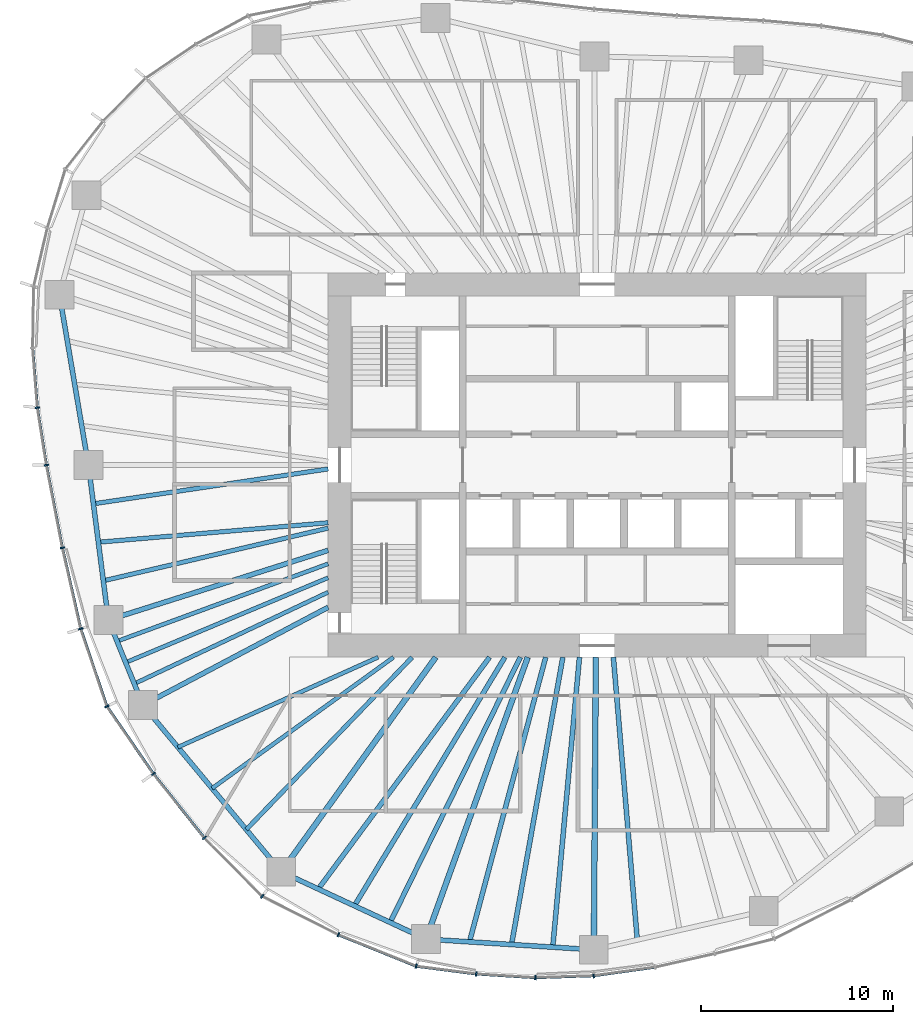
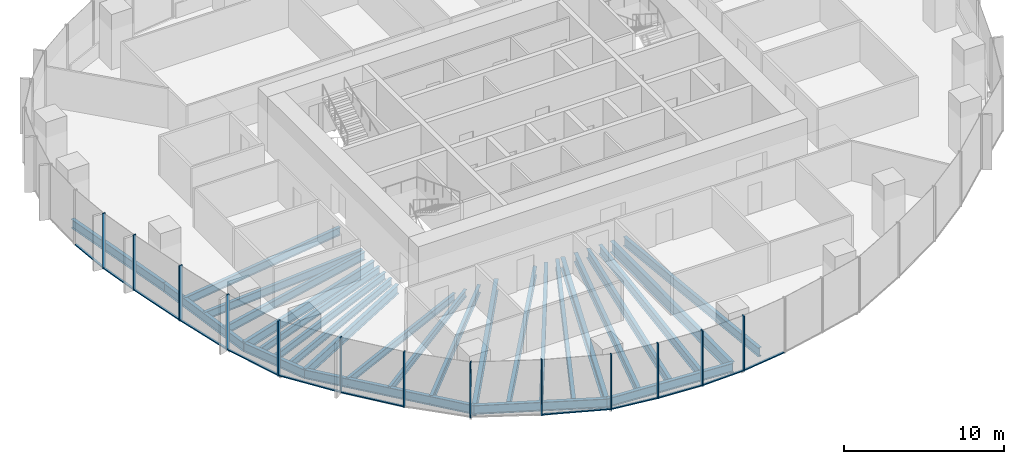
# One storey, part 2 of 18: 27 beams, 25 members, 7 elements without a shape of their own.
"""IFC4 building model written with IfcOpenShell, lengths in metres."""

from ifc_helpers import new_model, si_unit, direction, frame, origin, origin_2d, place, context, subcontext, project, spatial, rectangle, i_section, extrude, material, material_profile, profile_set, type_object, element, aggregate, save


model = new_model("IFC4")

# Units and contexts
model_context = context("Model", 3, precision=1e-05, world=origin(), true_north=direction((0.0, 1.0)))
body_context = subcontext(model_context, "Body", "Model", "MODEL_VIEW")
ifc_project = project(units=[si_unit("LENGTHUNIT", "METRE"), si_unit("AREAUNIT", "SQUARE_METRE"), si_unit("VOLUMEUNIT", "CUBIC_METRE"), si_unit("PLANEANGLEUNIT", "RADIAN"), si_unit("MASSUNIT", "GRAM", prefix="KILO")], contexts=[model_context])

# Site, building, storey
site_placement = place(None, origin())
site = spatial("IfcSite", under=ifc_project, at=site_placement, CompositionType="ELEMENT")
building_placement = place(site_placement, origin())
building = spatial("IfcBuilding", under=site, at=building_placement, Name="Ghaith Harvest Tower", CompositionType="ELEMENT")
storey_placement = place(building_placement, frame((0.0, 0.0, 117.60009765625)))
storey = spatial("IfcBuildingStorey", under=building, at=storey_placement, Name="L24", CompositionType="ELEMENT", Elevation=117.60009765625)

# Curtain wall, member
ifc_material_1 = material(Name="Black anodised aluminium and fritted glass", Category="aluminium")
curtain_wall_type = type_object("IfcCurtainWallType", Name="CW-L CURTAIN WALL", PredefinedType="NOTDEFINED", material=ifc_material_1)
curtain_wall_1_placement = place(storey_placement, origin())
curtain_wall_1 = element("IfcCurtainWall", 1, at=curtain_wall_1_placement, inside=storey, type_object=curtain_wall_type, Name="Curtain wall CW-L bay 10 L24", PredefinedType="NOTDEFINED")
ifc_material_2 = material(Name="Aluminium, black anodised", Category="aluminium")
ifc_material_profile_1 = material_profile(ifc_material_2, rectangle(XDim=0.080078125, YDim=0.239990234375, at=origin_2d()), Name="CW-L MULLION 80x240")
ifc_profile_set_1 = profile_set([ifc_material_profile_1], Name="Aluminium, black anodised")
member_type_1 = type_object("IfcMemberType", Name="CW-L MULLION 80x240", PredefinedType="MULLION", material=ifc_profile_set_1)
member_1_placement = place(storey_placement, frame((-29.131103515625, 2.990478515625, 0.0), z_axis=(0.0, 0.0, 1.0), x_axis=(0.116763791346, -0.993159713757, 0.0)))
member_1 = element("IfcMember", 2, at=member_1_placement, type_object=member_type_1, Name="CW-L mullion 3 bay 10 L24", PredefinedType="MULLION", context=body_context, shape_type="SweptSolid", body=[
    extrude(rectangle(XDim=0.080078125, YDim=0.239990234375, at=origin_2d()), origin(), (0.0, 0.0, 1.0), 4.199951171875),
])

# Curtain wall, members
curtain_wall_2_placement = place(storey_placement, origin())
curtain_wall_2 = element("IfcCurtainWall", 3, at=curtain_wall_2_placement, inside=storey, type_object=curtain_wall_type, Name="Curtain wall CW-L bay 11 L24", PredefinedType="NOTDEFINED")
member_2_placement = place(storey_placement, frame((-28.6611328125, 0.0, 0.0), z_axis=(0.0, 0.0, 1.0), x_axis=(0.175827209372, -0.984421044292, 0.0)))
member_2 = element("IfcMember", 4, at=member_2_placement, type_object=member_type_1, Name="CW-L mullion 1 bay 11 L24", PredefinedType="MULLION", context=body_context, shape_type="SweptSolid", body=[
    extrude(rectangle(XDim=0.080078125, YDim=0.239990234375, at=origin_2d()), origin(), (0.0, 0.0, 1.0), 4.199951171875),
])
member_3_placement = place(storey_placement, frame((-27.828125, -4.30419921875, 0.0), z_axis=(0.0, 0.0, 1.0), x_axis=(0.205176300018, -0.978725030798, 0.0)))
member_3 = element("IfcMember", 5, at=member_3_placement, type_object=member_type_1, Name="CW-L mullion 2 bay 11 L24", PredefinedType="MULLION", context=body_context, shape_type="SweptSolid", body=[
    extrude(rectangle(XDim=0.080078125, YDim=0.239990234375, at=origin_2d()), origin(), (0.0, 0.0, 1.0), 4.199951171875),
])

curtain_wall_3_placement = place(storey_placement, origin())
curtain_wall_3 = element("IfcCurtainWall", 6, at=curtain_wall_3_placement, inside=storey, type_object=curtain_wall_type, Name="Curtain wall CW-L bay 12 L24", PredefinedType="NOTDEFINED")
member_4_placement = place(storey_placement, frame((-26.875732421875, -8.517333984375, 0.0), z_axis=(0.0, 0.0, 1.0), x_axis=(0.270018818005, -0.962855045125, 0.0)))
member_4 = element("IfcMember", 7, at=member_4_placement, type_object=member_type_1, Name="CW-L mullion 1 bay 12 L24", PredefinedType="MULLION", context=body_context, shape_type="SweptSolid", body=[
    extrude(rectangle(XDim=0.080078125, YDim=0.239990234375, at=origin_2d()), origin(), (0.0, 0.0, 1.0), 4.199951171875),
])
member_5_placement = place(storey_placement, frame((-25.513427734375, -12.55810546875, 0.0), z_axis=(0.0, 0.0, 1.0), x_axis=(0.448267068681, -0.893899678452, 0.0)))
member_5 = element("IfcMember", 8, at=member_5_placement, type_object=member_type_1, Name="CW-L mullion 2 bay 12 L24", PredefinedType="MULLION", context=body_context, shape_type="SweptSolid", body=[
    extrude(rectangle(XDim=0.080078125, YDim=0.239990234375, at=origin_2d()), origin(), (0.0, 0.0, 1.0), 4.199951171875),
])

curtain_wall_4_placement = place(storey_placement, origin())
curtain_wall_4 = element("IfcCurtainWall", 9, at=curtain_wall_4_placement, inside=storey, type_object=curtain_wall_type, Name="Curtain wall CW-L bay 13 L24", PredefinedType="NOTDEFINED")
member_6_placement = place(storey_placement, frame((-23.090087890625, -16.066162109375, 0.0), z_axis=(0.0, 0.0, 1.0), x_axis=(0.595740202191, -0.803177198066, 0.0)))
member_6 = element("IfcMember", 10, at=member_6_placement, type_object=member_type_1, Name="CW-L mullion 1 bay 13 L24", PredefinedType="MULLION", context=body_context, shape_type="SweptSolid", body=[
    extrude(rectangle(XDim=0.080078125, YDim=0.239990234375, at=origin_2d()), origin(), (0.0, 0.0, 1.0), 4.199951171875),
])
member_7_placement = place(storey_placement, frame((-20.441162109375, -19.396728515625, 0.0), z_axis=(0.0, 0.0, 1.0), x_axis=(0.663764675537, -0.747941478666, 0.0)))
member_7 = element("IfcMember", 11, at=member_7_placement, type_object=member_type_1, Name="CW-L mullion 2 bay 13 L24", PredefinedType="MULLION", context=body_context, shape_type="SweptSolid", body=[
    extrude(rectangle(XDim=0.080078125, YDim=0.239990234375, at=origin_2d()), origin(), (0.0, 0.0, 1.0), 4.199951171875),
])

curtain_wall_5_placement = place(storey_placement, origin())
curtain_wall_5 = element("IfcCurtainWall", 12, at=curtain_wall_5_placement, inside=storey, type_object=curtain_wall_type, Name="Curtain wall CW-L bay 14 L24", PredefinedType="NOTDEFINED")
member_8_placement = place(storey_placement, frame((-17.430419921875, -22.443603515625, 0.0), z_axis=(0.0, 0.0, 1.0), x_axis=(0.810339399222, -0.585960799089, 0.0)))
member_8 = element("IfcMember", 13, at=member_8_placement, type_object=member_type_1, Name="CW-L mullion 1 bay 14 L24", PredefinedType="MULLION", context=body_context, shape_type="SweptSolid", body=[
    extrude(rectangle(XDim=0.080078125, YDim=0.239990234375, at=origin_2d()), origin(), (0.0, 0.0, 1.0), 4.199951171875),
])
member_9_placement = place(storey_placement, frame((-13.463134765625, -24.4423828125, 0.0), z_axis=(0.0, 0.0, 1.0), x_axis=(0.910648017946, -0.413182995066, 0.0)))
member_9 = element("IfcMember", 14, at=member_9_placement, type_object=member_type_1, Name="CW-L mullion 2 bay 14 L24", PredefinedType="MULLION", context=body_context, shape_type="SweptSolid", body=[
    extrude(rectangle(XDim=0.080078125, YDim=0.239990234375, at=origin_2d()), origin(), (0.0, 0.0, 1.0), 4.199951171875),
])

curtain_wall_6_placement = place(storey_placement, origin())
curtain_wall_6 = element("IfcCurtainWall", 15, at=curtain_wall_6_placement, inside=storey, type_object=curtain_wall_type, Name="Curtain wall CW-L bay 15 L24", PredefinedType="NOTDEFINED")
member_10_placement = place(storey_placement, frame((-9.4189453125, -26.07861328125, 0.0), z_axis=(0.0, 0.0, 1.0), x_axis=(0.961788606004, -0.273793128768, 0.0)))
member_10 = element("IfcMember", 16, at=member_10_placement, type_object=member_type_1, Name="CW-L mullion 1 bay 15 L24", PredefinedType="MULLION", context=body_context, shape_type="SweptSolid", body=[
    extrude(rectangle(XDim=0.080078125, YDim=0.239990234375, at=origin_2d()), origin(), (0.0, 0.0, 1.0), 4.199951171875),
])
member_11_placement = place(storey_placement, frame((-6.29443359375, -26.483154296875, 0.0), z_axis=(0.0, 0.0, 1.0), x_axis=(0.995389243171, -0.095917957546, 0.0)))
member_11 = element("IfcMember", 17, at=member_11_placement, type_object=member_type_1, Name="CW-L mullion 2 bay 15 L24", PredefinedType="MULLION", context=body_context, shape_type="SweptSolid", body=[
    extrude(rectangle(XDim=0.080078125, YDim=0.239990234375, at=origin_2d()), origin(), (0.0, 0.0, 1.0), 4.199951171875),
])
member_12_placement = place(storey_placement, frame((-3.21923828125, -26.676025390625, 0.0), z_axis=(0.0, 0.0, 1.0), x_axis=(0.999890531495, -0.014796115241, 0.0)))
member_12 = element("IfcMember", 18, at=member_12_placement, type_object=member_type_1, Name="CW-L mullion 3 bay 15 L24", PredefinedType="MULLION", context=body_context, shape_type="SweptSolid", body=[
    extrude(rectangle(XDim=0.080078125, YDim=0.239990234375, at=origin_2d()), origin(), (0.0, 0.0, 1.0), 4.199951171875),
])

# Curtain wall, member
curtain_wall_7_placement = place(storey_placement, origin())
curtain_wall_7 = element("IfcCurtainWall", 19, at=curtain_wall_7_placement, inside=storey, type_object=curtain_wall_type, Name="Curtain wall CW-L bay 16 L24", PredefinedType="NOTDEFINED")
member_13_placement = place(storey_placement, frame((-0.181884765625, -26.57373046875, 0.0), z_axis=(0.0, 0.0, 1.0), x_axis=(0.996169227662, 0.087446382772, 0.0)))
member_13 = element("IfcMember", 20, at=member_13_placement, type_object=member_type_1, Name="CW-L mullion 1 bay 16 L24", PredefinedType="MULLION", context=body_context, shape_type="SweptSolid", body=[
    extrude(rectangle(XDim=0.080078125, YDim=0.239990234375, at=origin_2d()), origin(), (0.0, 0.0, 1.0), 4.199951171875),
])

# Member
ifc_material_3 = material(Name="Aluminium, black anodised", Category="aluminium")
ifc_material_profile_2 = material_profile(ifc_material_3, rectangle(XDim=0.14990234375, YDim=0.080078125, at=origin_2d()), Name="CW-L TRANSOM 150x80")
ifc_profile_set_2 = profile_set([ifc_material_profile_2], Name="Aluminium, black anodised")
member_type_2 = type_object("IfcMemberType", Name="CW-L TRANSOM 150x80", PredefinedType="USERDEFINED", material=ifc_profile_set_2)
member_14_placement = place(storey_placement, frame((-29.374755859375, 6.05615234375, 0.039794921875), z_axis=(0.079230491279, -0.996856323274, 0.0), x_axis=(0.996856323274, 0.079230491279, 0.0)))
member_14 = element("IfcMember", 21, at=member_14_placement, type_object=member_type_2, Name="CW-L transom 2 bay 10 L24", ObjectType="TRANSOM", PredefinedType="USERDEFINED", context=body_context, shape_type="SweptSolid", body=[
    extrude(rectangle(XDim=0.14990234375, YDim=0.080078125, at=origin_2d()), origin(), (0.0, 0.0, 1.0), 3.03515625),
])

member_15_placement = place(storey_placement, frame((-29.124755859375, 2.951171875, 0.039794921875), z_axis=(0.155150065502, -0.987890913601, 0.0), x_axis=(0.987890913601, 0.155150065502, 0.0)))
member_15 = element("IfcMember", 22, at=member_15_placement, type_object=member_type_2, Name="CW-L transom 3 bay 10 L24", ObjectType="TRANSOM", PredefinedType="USERDEFINED", context=body_context, shape_type="SweptSolid", body=[
    extrude(rectangle(XDim=0.14990234375, YDim=0.080078125, at=origin_2d()), origin(), (0.0, 0.0, 1.0), 2.947265625),
])

aggregate(curtain_wall_1, [member_14, member_1, member_15])

member_16_placement = place(storey_placement, frame((-28.653564453125, -0.039306640625, 0.039794921875), z_axis=(0.190025434036, -0.981779167848, 0.0), x_axis=(0.981779167848, 0.190025434036, 0.0)))
member_16 = element("IfcMember", 23, at=member_16_placement, type_object=member_type_2, Name="CW-L transom 1 bay 11 L24", ObjectType="TRANSOM", PredefinedType="USERDEFINED", context=body_context, shape_type="SweptSolid", body=[
    extrude(rectangle(XDim=0.14990234375, YDim=0.080078125, at=origin_2d()), origin(), (0.0, 0.0, 1.0), 4.303955078125),
])

member_17_placement = place(storey_placement, frame((-27.8193359375, -4.34326171875, 0.039794921875), z_axis=(0.220508326041, -0.975385092231, 0.0), x_axis=(0.975385092231, 0.220508326041, 0.0)))
member_17 = element("IfcMember", 24, at=member_17_placement, type_object=member_type_2, Name="CW-L transom 2 bay 11 L24", ObjectType="TRANSOM", PredefinedType="USERDEFINED", context=body_context, shape_type="SweptSolid", body=[
    extrude(rectangle(XDim=0.14990234375, YDim=0.080078125, at=origin_2d()), origin(), (0.0, 0.0, 1.0), 4.2392578125),
])

aggregate(curtain_wall_2, [member_2, member_16, member_3, member_17])

member_18_placement = place(storey_placement, frame((-26.863037109375, -8.55517578125, 0.039794921875), z_axis=(0.319499057133, -0.947586593664, 0.0), x_axis=(0.947586593664, 0.319499057133, 0.0)))
member_18 = element("IfcMember", 25, at=member_18_placement, type_object=member_type_2, Name="CW-L transom 1 bay 12 L24", ObjectType="TRANSOM", PredefinedType="USERDEFINED", context=body_context, shape_type="SweptSolid", body=[
    extrude(rectangle(XDim=0.14990234375, YDim=0.080078125, at=origin_2d()), origin(), (0.0, 0.0, 1.0), 4.184326171875),
])

member_19_placement = place(storey_placement, frame((-25.49072265625, -12.591064453125, 0.039794921875), z_axis=(0.568360052499, -0.822779952796, 0.0), x_axis=(0.822779952796, 0.568360052499, 0.0)))
member_19 = element("IfcMember", 26, at=member_19_placement, type_object=member_type_2, Name="CW-L transom 2 bay 12 L24", ObjectType="TRANSOM", PredefinedType="USERDEFINED", context=body_context, shape_type="SweptSolid", body=[
    extrude(rectangle(XDim=0.14990234375, YDim=0.080078125, at=origin_2d()), origin(), (0.0, 0.0, 1.0), 4.183837890625),
])

aggregate(curtain_wall_3, [member_4, member_18, member_5, member_19])

member_20_placement = place(storey_placement, frame((-23.065185546875, -16.09765625, 0.039794921875), z_axis=(0.622510542814, -0.782611413209, 0.0), x_axis=(0.782611413209, 0.622510542814, 0.0)))
member_20 = element("IfcMember", 27, at=member_20_placement, type_object=member_type_2, Name="CW-L transom 1 bay 13 L24", ObjectType="TRANSOM", PredefinedType="USERDEFINED", context=body_context, shape_type="SweptSolid", body=[
    extrude(rectangle(XDim=0.14990234375, YDim=0.080078125, at=origin_2d()), origin(), (0.0, 0.0, 1.0), 4.17529296875),
])

aggregate(curtain_wall_4, [member_6, member_20, member_7])

member_21_placement = place(storey_placement, frame((-13.426025390625, -24.45751953125, 0.039794921875), z_axis=(0.92700297754, -0.375053968959, 0.0), x_axis=(0.375053968959, 0.92700297754, 0.0)))
member_21 = element("IfcMember", 28, at=member_21_placement, type_object=member_type_2, Name="CW-L transom 2 bay 14 L24", ObjectType="TRANSOM", PredefinedType="USERDEFINED", context=body_context, shape_type="SweptSolid", body=[
    extrude(rectangle(XDim=0.14990234375, YDim=0.080078125, at=origin_2d()), origin(), (0.0, 0.0, 1.0), 4.282470703125),
])

aggregate(curtain_wall_5, [member_8, member_9, member_21])

member_22_placement = place(storey_placement, frame((-9.37939453125, -26.083740234375, 0.039794921875), z_axis=(0.991722765635, -0.128397648429, 0.0), x_axis=(0.128397648429, 0.991722765635, 0.0)))
member_22 = element("IfcMember", 29, at=member_22_placement, type_object=member_type_2, Name="CW-L transom 1 bay 15 L24", ObjectType="TRANSOM", PredefinedType="USERDEFINED", context=body_context, shape_type="SweptSolid", body=[
    extrude(rectangle(XDim=0.14990234375, YDim=0.080078125, at=origin_2d()), origin(), (0.0, 0.0, 1.0), 3.07080078125),
])

member_23_placement = place(storey_placement, frame((-6.25439453125, -26.485595703125, 0.039794921875), z_axis=(0.998036402434, -0.062636566132, 0.0), x_axis=(0.062636566132, 0.998036402434, 0.0)))
member_23 = element("IfcMember", 30, at=member_23_placement, type_object=member_type_2, Name="CW-L transom 2 bay 15 L24", ObjectType="TRANSOM", PredefinedType="USERDEFINED", context=body_context, shape_type="SweptSolid", body=[
    extrude(rectangle(XDim=0.14990234375, YDim=0.080078125, at=origin_2d()), origin(), (0.0, 0.0, 1.0), 3.001220703125),
])

member_24_placement = place(storey_placement, frame((-3.17919921875, -26.6748046875, 0.039794921875), z_axis=(0.999430436664, 0.033746144522, 0.0), x_axis=(-0.033746144522, 0.999430436664, 0.0)))
member_24 = element("IfcMember", 31, at=member_24_placement, type_object=member_type_2, Name="CW-L transom 3 bay 15 L24", ObjectType="TRANSOM", PredefinedType="USERDEFINED", context=body_context, shape_type="SweptSolid", body=[
    extrude(rectangle(XDim=0.14990234375, YDim=0.080078125, at=origin_2d()), origin(), (0.0, 0.0, 1.0), 2.958984375),
])

aggregate(curtain_wall_6, [member_10, member_22, member_11, member_23, member_12, member_24])

member_25_placement = place(storey_placement, frame((-0.142333984375, -26.568115234375, 0.039794921875), z_axis=(0.990446640965, 0.137896524254, 0.0), x_axis=(-0.137896524254, 0.990446640965, 0.0)))
member_25 = element("IfcMember", 32, at=member_25_placement, type_object=member_type_2, Name="CW-L transom 1 bay 16 L24", ObjectType="TRANSOM", PredefinedType="USERDEFINED", context=body_context, shape_type="SweptSolid", body=[
    extrude(rectangle(XDim=0.14990234375, YDim=0.080078125, at=origin_2d()), origin(), (0.0, 0.0, 1.0), 3.142578125),
])

aggregate(curtain_wall_7, [member_13, member_25])

# Beams
ifc_material_4 = material(Name="Steel ASTM A992 Grade 50", Category="steel")
ifc_material_profile_3 = material_profile(ifc_material_4, i_section(OverallWidth=0.25390625, OverallDepth=0.68408203125, WebThickness=0.012451171875, FlangeThickness=0.018798828125, at=origin_2d()), Name="W690X140")
ifc_profile_set_3 = profile_set([ifc_material_profile_3], Name="Steel ASTM A992 Grade 50")
beam_type_1 = type_object("IfcBeamType", Name="E690-140 W690X140", PredefinedType="SPANDREL", material=ifc_profile_set_3)
beam_1_placement = place(storey_placement, frame((-27.98291015625, 8.867919921875, -0.51220703125), z_axis=(0.167624246844, -0.985850958244, 0.0), x_axis=(0.985850958244, 0.167624246844, 0.0)))
element("IfcBeam", 33, at=beam_1_placement, inside=storey, type_object=beam_type_1, Name="Edge beam E10 L24", PredefinedType="SPANDREL", context=body_context, shape_type="SweptSolid", body=[
    extrude(i_section(OverallWidth=0.25390625, OverallDepth=0.68408203125, WebThickness=0.012451171875, FlangeThickness=0.018798828125, at=origin_2d()), origin(), (0.0, 0.0, 1.0), 8.9951171875),
])
beam_2_placement = place(storey_placement, frame((-26.47509765625, 0.0, -0.51220703125), z_axis=(0.127841715048, -0.991794583517, 0.0), x_axis=(0.991794583517, 0.127841715048, 0.0)))
element("IfcBeam", 34, at=beam_2_placement, inside=storey, type_object=beam_type_1, Name="Edge beam E11 L24", PredefinedType="SPANDREL", context=body_context, shape_type="SweptSolid", body=[
    extrude(i_section(OverallWidth=0.25390625, OverallDepth=0.68408203125, WebThickness=0.012451171875, FlangeThickness=0.018798828125, at=origin_2d()), origin(), (0.0, 0.0, 1.0), 8.127685546875),
])
beam_3_placement = place(storey_placement, frame((-25.43603515625, -8.06103515625, -0.51220703125), z_axis=(0.376479712052, -0.9264248628, 0.0), x_axis=(0.9264248628, 0.376479712052, 0.0)))
element("IfcBeam", 35, at=beam_3_placement, inside=storey, type_object=beam_type_1, Name="Edge beam E12 L24", PredefinedType="SPANDREL", context=body_context, shape_type="SweptSolid", body=[
    extrude(i_section(OverallWidth=0.25390625, OverallDepth=0.68408203125, WebThickness=0.012451171875, FlangeThickness=0.018798828125, at=origin_2d()), origin(), (0.0, 0.0, 1.0), 4.783935546875),
])
beam_4_placement = place(storey_placement, frame((-23.635009765625, -12.492919921875, -0.51220703125), z_axis=(0.638719320052, -0.769439815835, 0.0), x_axis=(0.769439815835, 0.638719320052, 0.0)))
element("IfcBeam", 36, at=beam_4_placement, inside=storey, type_object=beam_type_1, Name="Edge beam E13 L24", PredefinedType="SPANDREL", context=body_context, shape_type="SweptSolid", body=[
    extrude(i_section(OverallWidth=0.25390625, OverallDepth=0.68408203125, WebThickness=0.012451171875, FlangeThickness=0.018798828125, at=origin_2d()), origin(), (0.0, 0.0, 1.0), 11.26953125),
])
beam_5_placement = place(storey_placement, frame((-16.43701171875, -21.1640625, -0.51220703125), z_axis=(0.906607079462, -0.421975832802, 0.0), x_axis=(0.421975832802, 0.906607079462, 0.0)))
element("IfcBeam", 37, at=beam_5_placement, inside=storey, type_object=beam_type_1, Name="Edge beam E14 L24", PredefinedType="SPANDREL", context=body_context, shape_type="SweptSolid", body=[
    extrude(i_section(OverallWidth=0.25390625, OverallDepth=0.68408203125, WebThickness=0.012451171875, FlangeThickness=0.018798828125, at=origin_2d()), origin(), (0.0, 0.0, 1.0), 8.303466796875),
])
beam_6_placement = place(storey_placement, frame((-8.908935546875, -24.66796875, -0.51220703125), z_axis=(0.99797963184, -0.063534671101, 0.0), x_axis=(0.063534671101, 0.99797963184, 0.0)))
element("IfcBeam", 38, at=beam_6_placement, inside=storey, type_object=beam_type_1, Name="Edge beam E15 L24", PredefinedType="SPANDREL", context=body_context, shape_type="SweptSolid", body=[
    extrude(i_section(OverallWidth=0.25390625, OverallDepth=0.68408203125, WebThickness=0.012451171875, FlangeThickness=0.018798828125, at=origin_2d()), origin(), (0.0, 0.0, 1.0), 8.75341796875),
])
ifc_material_5 = material(Name="Steel ASTM A992 Grade 50", Category="steel")
ifc_material_profile_4 = material_profile(ifc_material_5, i_section(OverallWidth=0.256103515625, OverallDepth=0.693115234375, WebThickness=0.014404296875, FlangeThickness=0.023681640625, at=origin_2d()), Name="W690X170")
ifc_profile_set_4 = profile_set([ifc_material_profile_4], Name="Steel ASTM A992 Grade 50")
beam_type_2 = type_object("IfcBeamType", Name="G690-170 W690X170", PredefinedType="BEAM", material=ifc_profile_set_4)
beam_7_placement = place(storey_placement, frame((-14.0, -4.43701171875, -0.5166015625), z_axis=(-0.953279533519, -0.302089607522, 0.0), x_axis=(0.302089607522, -0.953279533519, 0.0)))
element("IfcBeam", 39, at=beam_7_placement, inside=storey, type_object=beam_type_2, Name="Radial girder G12 L24", PredefinedType="BEAM", context=body_context, shape_type="SweptSolid", body=[
    extrude(i_section(OverallWidth=0.256103515625, OverallDepth=0.693115234375, WebThickness=0.014404296875, FlangeThickness=0.023681640625, at=origin_2d()), origin(), (0.0, 0.0, 1.0), 11.99658203125),
])
beam_8_placement = place(storey_placement, frame((-14.0, -7.39990234375, -0.5166015625), z_axis=(-0.884086346066, -0.467323584576, 0.0), x_axis=(0.467323584576, -0.884086346066, 0.0)))
element("IfcBeam", 40, at=beam_8_placement, inside=storey, type_object=beam_type_2, Name="Radial girder G13 L24", PredefinedType="BEAM", context=body_context, shape_type="SweptSolid", body=[
    extrude(i_section(OverallWidth=0.256103515625, OverallDepth=0.693115234375, WebThickness=0.014404296875, FlangeThickness=0.023681640625, at=origin_2d()), origin(), (0.0, 0.0, 1.0), 10.898193359375),
])
ifc_material_6 = material(Name="Steel ASTM A992 Grade 50", Category="steel")
ifc_material_profile_5 = material_profile(ifc_material_6, i_section(OverallWidth=0.2939453125, OverallDepth=0.85107421875, WebThickness=0.01611328125, FlangeThickness=0.02685546875, at=origin_2d()), Name="W840X226")
ifc_profile_set_5 = profile_set([ifc_material_profile_5], Name="Steel ASTM A992 Grade 50")
beam_type_3 = type_object("IfcBeamType", Name="G840-226 W840X226", PredefinedType="BEAM", material=ifc_profile_set_5)
beam_9_placement = place(storey_placement, frame((-8.39990234375, -10.0, -0.595703125), z_axis=(-0.584256100809, -0.811569349265, 0.0), x_axis=(0.811569349265, -0.584256100809, 0.0)))
element("IfcBeam", 41, at=beam_9_placement, inside=storey, type_object=beam_type_3, Name="Radial girder G14 L24", PredefinedType="BEAM", context=body_context, shape_type="SweptSolid", body=[
    extrude(i_section(OverallWidth=0.2939453125, OverallDepth=0.85107421875, WebThickness=0.01611328125, FlangeThickness=0.02685546875, at=origin_2d()), origin(), (0.0, 0.0, 1.0), 13.756103515625),
])
beam_10_placement = place(storey_placement, frame((-3.61181640625, -10.0, -0.595703125), z_axis=(-0.339664467784, -0.940546675782, 0.0), x_axis=(0.940546675782, -0.339664467784, 0.0)))
element("IfcBeam", 42, at=beam_10_placement, inside=storey, type_object=beam_type_3, Name="Radial girder G15 L24", PredefinedType="BEAM", context=body_context, shape_type="SweptSolid", body=[
    extrude(i_section(OverallWidth=0.2939453125, OverallDepth=0.85107421875, WebThickness=0.01611328125, FlangeThickness=0.02685546875, at=origin_2d()), origin(), (0.0, 0.0, 1.0), 15.59521484375),
])
beam_11_placement = place(storey_placement, frame((-0.068359375, -10.0, -0.595703125), z_axis=(-0.006879467722, -0.999976336182, 0.0), x_axis=(0.999976336182, -0.006879467722, 0.0)))
element("IfcBeam", 43, at=beam_11_placement, inside=storey, type_object=beam_type_3, Name="Radial girder G16 L24", PredefinedType="BEAM", context=body_context, shape_type="SweptSolid", body=[
    extrude(i_section(OverallWidth=0.2939453125, OverallDepth=0.85107421875, WebThickness=0.01611328125, FlangeThickness=0.02685546875, at=origin_2d()), origin(), (0.0, 0.0, 1.0), 15.224365234375),
])
ifc_material_7 = material(Name="Steel ASTM A992 Grade 50", Category="steel")
ifc_material_profile_6 = material_profile(ifc_material_7, i_section(OverallWidth=0.2109375, OverallDepth=0.5390625, WebThickness=0.01171875, FlangeThickness=0.018798828125, at=origin_2d()), Name="W530X109")
ifc_profile_set_6 = profile_set([ifc_material_profile_6], Name="Steel ASTM A992 Grade 50")
beam_type_4 = type_object("IfcBeamType", Name="J530-109 W530X109", PredefinedType="JOIST", material=ifc_profile_set_6)
beam_12_placement = place(storey_placement, frame((-14.0, -5.137939453125, -0.439697265625), z_axis=(-0.938774452531, -0.344532331247, 0.0), x_axis=(0.344532331247, -0.938774452531, 0.0)))
element("IfcBeam", 44, at=beam_12_placement, inside=storey, type_object=beam_type_4, Name="Joist J12.1 L24", PredefinedType="JOIST", context=body_context, shape_type="SweptSolid", body=[
    extrude(i_section(OverallWidth=0.2109375, OverallDepth=0.5390625, WebThickness=0.01171875, FlangeThickness=0.018798828125, at=origin_2d()), origin(), (0.0, 0.0, 1.0), 11.7021484375),
])
beam_13_placement = place(storey_placement, frame((-14.0, -5.862548828125, -0.439697265625), z_axis=(-0.922385564947, -0.386270461693, 0.0), x_axis=(0.386270461693, -0.922385564947, 0.0)))
element("IfcBeam", 45, at=beam_13_placement, inside=storey, type_object=beam_type_4, Name="Joist J12.2 L24", PredefinedType="JOIST", context=body_context, shape_type="SweptSolid", body=[
    extrude(i_section(OverallWidth=0.2109375, OverallDepth=0.5390625, WebThickness=0.01171875, FlangeThickness=0.018798828125, at=origin_2d()), origin(), (0.0, 0.0, 1.0), 11.4228515625),
])
beam_14_placement = place(storey_placement, frame((-14.0, -6.614990234375, -0.439697265625), z_axis=(-0.904150042111, -0.427215052815, 0.0), x_axis=(0.427215052815, -0.904150042111, 0.0)))
element("IfcBeam", 46, at=beam_14_placement, inside=storey, type_object=beam_type_4, Name="Joist J12.3 L24", PredefinedType="JOIST", context=body_context, shape_type="SweptSolid", body=[
    extrude(i_section(OverallWidth=0.2109375, OverallDepth=0.5390625, WebThickness=0.01171875, FlangeThickness=0.018798828125, at=origin_2d()), origin(), (0.0, 0.0, 1.0), 11.15625),
])
beam_15_placement = place(storey_placement, frame((-11.39990234375, -10.0, -0.439697265625), z_axis=(-0.912147734774, -0.409861574127, 0.0), x_axis=(0.409861574127, -0.912147734774, 0.0)))
element("IfcBeam", 47, at=beam_15_placement, inside=storey, type_object=beam_type_4, Name="Joist J13.1 L24", PredefinedType="JOIST", context=body_context, shape_type="SweptSolid", body=[
    extrude(i_section(OverallWidth=0.2109375, OverallDepth=0.5390625, WebThickness=0.01171875, FlangeThickness=0.018798828125, at=origin_2d()), origin(), (0.0, 0.0, 1.0), 11.421875),
])
beam_16_placement = place(storey_placement, frame((-10.60009765625, -10.0, -0.439697265625), z_axis=(-0.810452010932, -0.5858050341, 0.0), x_axis=(0.5858050341, -0.810452010932, 0.0)))
element("IfcBeam", 48, at=beam_16_placement, inside=storey, type_object=beam_type_4, Name="Joist J13.2 L24", PredefinedType="JOIST", context=body_context, shape_type="SweptSolid", body=[
    extrude(i_section(OverallWidth=0.2109375, OverallDepth=0.5390625, WebThickness=0.01171875, FlangeThickness=0.018798828125, at=origin_2d()), origin(), (0.0, 0.0, 1.0), 11.64794921875),
])
ifc_material_8 = material(Name="Steel ASTM A992 Grade 50", Category="steel")
ifc_material_profile_7 = material_profile(ifc_material_8, i_section(OverallWidth=0.22900390625, OverallDepth=0.612060546875, WebThickness=0.011962890625, FlangeThickness=0.01953125, at=origin_2d()), Name="W610X125")
ifc_profile_set_7 = profile_set([ifc_material_profile_7], Name="Steel ASTM A992 Grade 50")
beam_type_5 = type_object("IfcBeamType", Name="J610-125 W610X125", PredefinedType="JOIST", material=ifc_profile_set_7)
beam_17_placement = place(storey_placement, frame((-14.0, -0.199951171875, -0.47607421875), z_axis=(-0.989135422742, -0.147007195321, 0.0), x_axis=(0.147007195321, -0.989135422742, 0.0)))
element("IfcBeam", 49, at=beam_17_placement, inside=storey, type_object=beam_type_5, Name="Joist J11.1 L24", PredefinedType="JOIST", context=body_context, shape_type="SweptSolid", body=[
    extrude(i_section(OverallWidth=0.22900390625, OverallDepth=0.612060546875, WebThickness=0.011962890625, FlangeThickness=0.01953125, at=origin_2d()), origin(), (0.0, 0.0, 1.0), 12.349365234375),
])
beam_18_placement = place(storey_placement, frame((-14.0, -3.0, -0.47607421875), z_axis=(-0.996417474722, -0.0845707755, 0.0), x_axis=(0.0845707755, -0.996417474722, 0.0)))
element("IfcBeam", 50, at=beam_18_placement, inside=storey, type_object=beam_type_5, Name="Joist J11.2 L24", PredefinedType="JOIST", context=body_context, shape_type="SweptSolid", body=[
    extrude(i_section(OverallWidth=0.22900390625, OverallDepth=0.612060546875, WebThickness=0.011962890625, FlangeThickness=0.01953125, at=origin_2d()), origin(), (0.0, 0.0, 1.0), 12.00048828125),
])
beam_19_placement = place(storey_placement, frame((-14.0, -3.280517578125, -0.47607421875), z_axis=(-0.973624350862, -0.228157014813, 0.0), x_axis=(0.228157014813, -0.973624350862, 0.0)))
element("IfcBeam", 51, at=beam_19_placement, inside=storey, type_object=beam_type_5, Name="Joist J11.3 L24", PredefinedType="JOIST", context=body_context, shape_type="SweptSolid", body=[
    extrude(i_section(OverallWidth=0.22900390625, OverallDepth=0.612060546875, WebThickness=0.011962890625, FlangeThickness=0.01953125, at=origin_2d()), origin(), (0.0, 0.0, 1.0), 12.015625),
])
beam_20_placement = place(storey_placement, frame((-9.626708984375, -10.0, -0.47607421875), z_axis=(-0.693534641621, -0.720423278963, 0.0), x_axis=(0.720423278963, -0.693534641621, 0.0)))
element("IfcBeam", 52, at=beam_20_placement, inside=storey, type_object=beam_type_5, Name="Joist J13.3 L24", PredefinedType="JOIST", context=body_context, shape_type="SweptSolid", body=[
    extrude(i_section(OverallWidth=0.22900390625, OverallDepth=0.612060546875, WebThickness=0.011962890625, FlangeThickness=0.01953125, at=origin_2d()), origin(), (0.0, 0.0, 1.0), 12.4482421875),
])
ifc_material_9 = material(Name="Steel ASTM A992 Grade 50", Category="steel")
ifc_material_profile_8 = material_profile(ifc_material_9, i_section(OverallWidth=0.25390625, OverallDepth=0.68408203125, WebThickness=0.012451171875, FlangeThickness=0.018798828125, at=origin_2d()), Name="W690X140")
ifc_profile_set_8 = profile_set([ifc_material_profile_8], Name="Steel ASTM A992 Grade 50")
beam_type_6 = type_object("IfcBeamType", Name="J690-140 W690X140", PredefinedType="JOIST", material=ifc_profile_set_8)
beam_21_placement = place(storey_placement, frame((-5.60009765625, -10.0, -0.51220703125), z_axis=(-0.59434024765, -0.804213696739, 0.0), x_axis=(0.804213696739, -0.59434024765, 0.0)))
element("IfcBeam", 53, at=beam_21_placement, inside=storey, type_object=beam_type_6, Name="Joist J14.1 L24", PredefinedType="JOIST", context=body_context, shape_type="SweptSolid", body=[
    extrude(i_section(OverallWidth=0.25390625, OverallDepth=0.68408203125, WebThickness=0.012451171875, FlangeThickness=0.018798828125, at=origin_2d()), origin(), (0.0, 0.0, 1.0), 14.995849609375),
])
beam_22_placement = place(storey_placement, frame((-4.800048828125, -10.0, -0.51220703125), z_axis=(-0.517986442874, -0.855388826791, 0.0), x_axis=(0.855388826791, -0.517986442874, 0.0)))
element("IfcBeam", 54, at=beam_22_placement, inside=storey, type_object=beam_type_6, Name="Joist J14.2 L24", PredefinedType="JOIST", context=body_context, shape_type="SweptSolid", body=[
    extrude(i_section(OverallWidth=0.25390625, OverallDepth=0.68408203125, WebThickness=0.012451171875, FlangeThickness=0.018798828125, at=origin_2d()), origin(), (0.0, 0.0, 1.0), 15.12158203125),
])
beam_23_placement = place(storey_placement, frame((-4.0, -10.0, -0.51220703125), z_axis=(-0.440562898219, -0.897721745706, 0.0), x_axis=(0.897721745706, -0.440562898219, 0.0)))
element("IfcBeam", 55, at=beam_23_placement, inside=storey, type_object=beam_type_6, Name="Joist J14.3 L24", PredefinedType="JOIST", context=body_context, shape_type="SweptSolid", body=[
    extrude(i_section(OverallWidth=0.25390625, OverallDepth=0.68408203125, WebThickness=0.012451171875, FlangeThickness=0.018798828125, at=origin_2d()), origin(), (0.0, 0.0, 1.0), 15.372802734375),
])
beam_24_placement = place(storey_placement, frame((-2.677978515625, -10.0, -0.51220703125), z_axis=(-0.258693109612, -0.965959561803, 0.0), x_axis=(0.965959561803, -0.258693109612, 0.0)))
element("IfcBeam", 56, at=beam_24_placement, inside=storey, type_object=beam_type_6, Name="Joist J15.1 L24", PredefinedType="JOIST", context=body_context, shape_type="SweptSolid", body=[
    extrude(i_section(OverallWidth=0.25390625, OverallDepth=0.68408203125, WebThickness=0.012451171875, FlangeThickness=0.018798828125, at=origin_2d()), origin(), (0.0, 0.0, 1.0), 15.333984375),
])
beam_25_placement = place(storey_placement, frame((-1.785888671875, -10.0, -0.51220703125), z_axis=(-0.175792307544, -0.984427277461, 0.0), x_axis=(0.984427277461, -0.175792307544, 0.0)))
element("IfcBeam", 57, at=beam_25_placement, inside=storey, type_object=beam_type_6, Name="Joist J15.2 L24", PredefinedType="JOIST", context=body_context, shape_type="SweptSolid", body=[
    extrude(i_section(OverallWidth=0.25390625, OverallDepth=0.68408203125, WebThickness=0.012451171875, FlangeThickness=0.018798828125, at=origin_2d()), origin(), (0.0, 0.0, 1.0), 15.18798828125),
])
beam_26_placement = place(storey_placement, frame((-0.92041015625, -10.0, -0.51220703125), z_axis=(-0.091651457116, -0.995791147987, 0.0), x_axis=(0.995791147987, -0.091651457116, 0.0)))
element("IfcBeam", 58, at=beam_26_placement, inside=storey, type_object=beam_type_6, Name="Joist J15.3 L24", PredefinedType="JOIST", context=body_context, shape_type="SweptSolid", body=[
    extrude(i_section(OverallWidth=0.25390625, OverallDepth=0.68408203125, WebThickness=0.012451171875, FlangeThickness=0.018798828125, at=origin_2d()), origin(), (0.0, 0.0, 1.0), 15.151611328125),
])
beam_27_placement = place(storey_placement, frame((0.844970703125, -10.0, -0.51220703125), z_axis=(0.084208979751, -0.996448115924, 0.0), x_axis=(0.996448115924, 0.084208979751, 0.0)))
element("IfcBeam", 59, at=beam_27_placement, inside=storey, type_object=beam_type_6, Name="Joist J16.1 L24", PredefinedType="JOIST", context=body_context, shape_type="SweptSolid", body=[
    extrude(i_section(OverallWidth=0.25390625, OverallDepth=0.68408203125, WebThickness=0.012451171875, FlangeThickness=0.018798828125, at=origin_2d()), origin(), (0.0, 0.0, 1.0), 14.760009765625),
])

save(model, "model.ifc")
